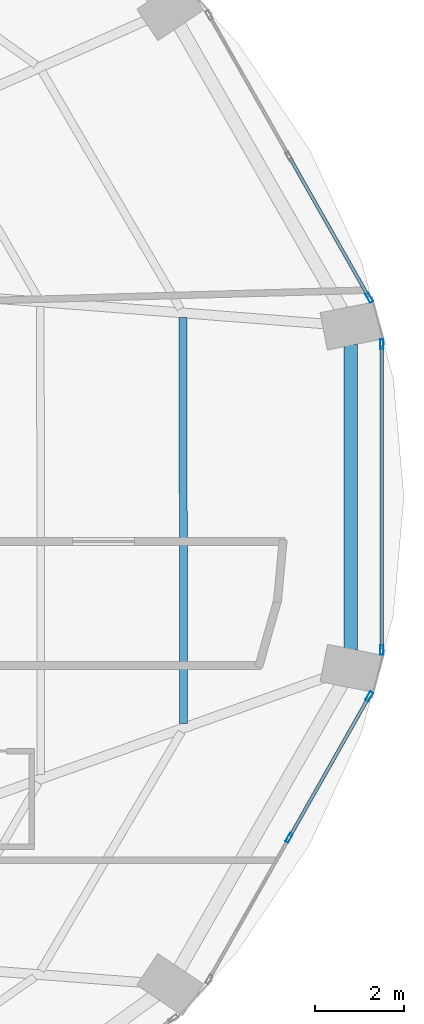
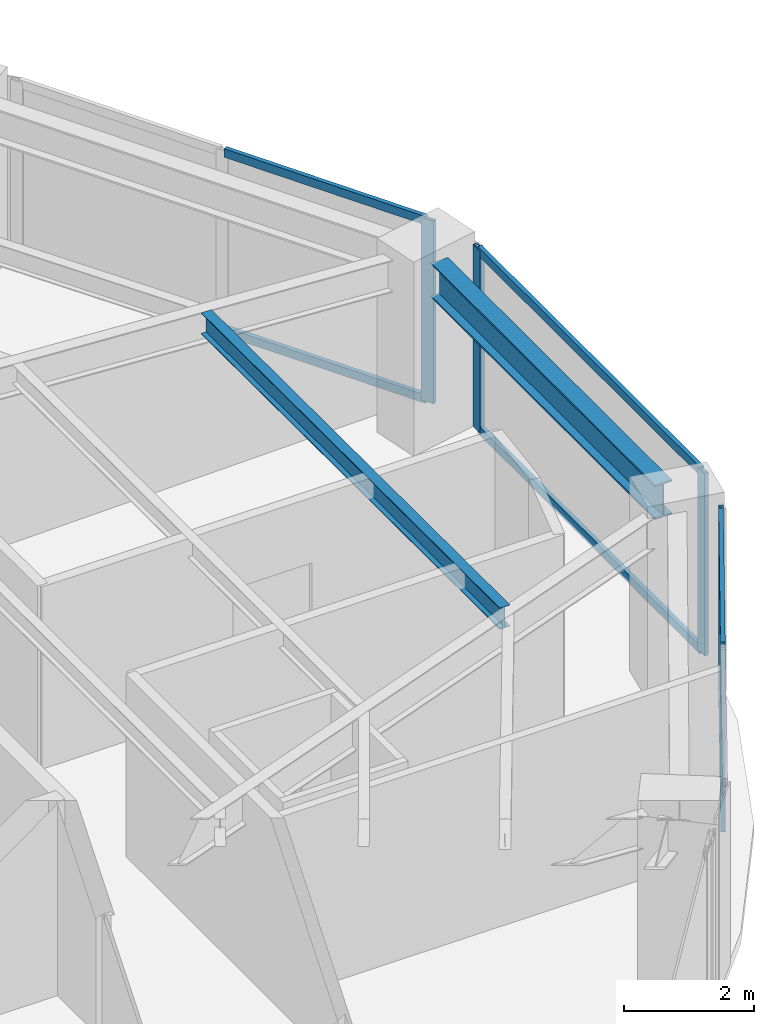
# One storey, part 12 of 25: 11 members, 2 beams, 3 elements without a shape of their own.
"""IFC4 building model written with IfcOpenShell, lengths in metres."""

import ifcopenshell
import ifcopenshell.guid

model = None  # the IFC model being written
_history = None  # IfcOwnerHistory: only IFC2X3 demands one
_inside = {}  # id of a spatial element -> (the spatial element, [elements in it])
_under = {}  # id of a project, library or spatial element -> (it, [spatial elements below it])
_declared = {}  # id of a project -> (the project, [libraries it declares])
_typed = {}  # id of a type object -> (the type object, [elements of that type])
_made_of = {}  # id of a material, layer set ... -> (it, [elements and type objects made of it])


def new_model(schema):
    """Start an empty IFC model of exactly this schema.

    Asked for "IFC4X3", IfcOpenShell would pick the latest addendum, in which some entities
    have other attributes; the version numbers below select the first issue.
    IFC2X3 requires an IfcOwnerHistory on every rooted entity: one is made here for all.
    """
    global model, _history
    if schema == "IFC4X3":
        model = ifcopenshell.file(schema_version=(4, 3, 0, 0))
    else:
        model = ifcopenshell.file(schema=schema)
    _inside.clear()
    _under.clear()
    _declared.clear()
    _typed.clear()
    _made_of.clear()
    _history = None
    if model.schema == "IFC2X3":
        org = make("IfcOrganization", Name="unknown")
        user = make(
            "IfcPersonAndOrganization",
            ThePerson=make("IfcPerson", FamilyName="unknown"),
            TheOrganization=org,
        )
        app = make(
            "IfcApplication",
            ApplicationDeveloper=org,
            Version="unknown",
            ApplicationFullName="unknown",
            ApplicationIdentifier="unknown",
        )
        _history = make(
            "IfcOwnerHistory",
            OwningUser=user,
            OwningApplication=app,
            ChangeAction="ADDED",
            CreationDate=0,
        )
    return model


def make(cls, **values):
    """One entity of the class cls with the attributes given. An attribute that is None is left unset."""
    return model.create_entity(
        cls, **{name: value for name, value in values.items() if value is not None}
    )


def rooted(cls, **values):
    """An entity with a GlobalId (a new one), such as an element, a storey or a relation."""
    return make(cls, GlobalId=ifcopenshell.guid.new(), OwnerHistory=_history, **values)


def si_unit(unit_type, name, prefix=None):
    """IfcSIUnit, for example si_unit("LENGTHUNIT", "METRE", prefix="MILLI")."""
    return make("IfcSIUnit", UnitType=unit_type, Prefix=prefix, Name=name)


def assignment(units):
    """IfcUnitAssignment: the units of a project."""
    return None if units is None else make("IfcUnitAssignment", Units=units)


def point(xyz):
    """IfcCartesianPoint."""
    return None if xyz is None else make("IfcCartesianPoint", Coordinates=xyz)


def direction(xyz):
    """IfcDirection."""
    return None if xyz is None else make("IfcDirection", DirectionRatios=xyz)


def frame(location, z_axis=None, x_axis=None):
    """IfcAxis2Placement3D, a coordinate frame: its origin and axes. An axis left out is left unset."""
    return make(
        "IfcAxis2Placement3D",
        Location=point(location),
        Axis=direction(z_axis),
        RefDirection=direction(x_axis),
    )


def frame_2d(location, x_axis=None):
    """IfcAxis2Placement2D, a coordinate frame in the plane: its origin and x axis."""
    return make(
        "IfcAxis2Placement2D", Location=point(location), RefDirection=direction(x_axis)
    )


def origin():
    """The frame at (0, 0, 0) with its axes left unset."""
    return frame((0.0, 0.0, 0.0))


def origin_2d():
    """The frame at (0, 0) in the plane with its x axis left unset."""
    return frame_2d((0.0, 0.0))


def place(relative_to, where):
    """IfcLocalPlacement: puts the frame where relative to a parent placement (None: the world)."""
    return make(
        "IfcLocalPlacement", PlacementRelTo=relative_to, RelativePlacement=where
    )


def context(
    kind, dimensions, precision=None, world=None, true_north=None, identifier=None
):
    """IfcGeometricRepresentationContext, for example the 3D "Model" context."""
    return make(
        "IfcGeometricRepresentationContext",
        ContextIdentifier=identifier,
        ContextType=kind,
        CoordinateSpaceDimension=dimensions,
        Precision=precision,
        WorldCoordinateSystem=world,
        TrueNorth=true_north,
    )


def subcontext(parent, identifier, kind, view, scale=None):
    """IfcGeometricRepresentationSubContext, for example "Body" below "Model"."""
    return make(
        "IfcGeometricRepresentationSubContext",
        ContextIdentifier=identifier,
        ContextType=kind,
        ParentContext=parent,
        TargetScale=scale,
        TargetView=view,
    )


def project(units=None, contexts=None):
    """IfcProject with its units and contexts."""
    return rooted(
        "IfcProject",
        Name="project",
        RepresentationContexts=contexts,
        UnitsInContext=assignment(units),
    )


def spatial(cls, under=None, at=None, **own):
    """A site, building, storey or space (cls), placed at a placement, below another one or the project."""
    s = rooted(cls, ObjectPlacement=at, **own)
    if under is not None:
        _under.setdefault(under.id(), (under, []))[1].append(s)
    return s


def profile(cls, at=None, kind="AREA", **sizes):
    """A parametric profile (cls). Its sizes go by their IFC names, for example OverallWidth=200.0."""
    return make(cls, ProfileType=kind, Position=at, **sizes)


def hollow_rectangle(**sizes):
    """IfcRectangleHollowProfileDef."""
    return profile("IfcRectangleHollowProfileDef", **sizes)


def i_section(**sizes):
    """IfcIShapeProfileDef."""
    return profile("IfcIShapeProfileDef", **sizes)


def extrude(swept, where, along, depth):
    """IfcExtrudedAreaSolid: the profile swept, set in the frame where, extruded along a direction by depth."""
    return make(
        "IfcExtrudedAreaSolid",
        SweptArea=swept,
        Position=where,
        ExtrudedDirection=direction(along),
        Depth=depth,
    )


def shape(context_of_items, identifier, shape_type, items):
    """IfcShapeRepresentation: the items that make up one representation, for example the "Body"."""
    return make(
        "IfcShapeRepresentation",
        ContextOfItems=context_of_items,
        RepresentationIdentifier=identifier,
        RepresentationType=shape_type,
        Items=items,
    )


def material(Name=None, Category=None):
    """IfcMaterial."""
    return make("IfcMaterial", Name=Name, Category=Category)


def layer(
    of_material, thickness, ventilated=None, Name=None, Category=None, Priority=None
):
    """IfcMaterialLayer: one layer of a wall or slab, of a material (None: an air gap)."""
    return make(
        "IfcMaterialLayer",
        Material=of_material,
        LayerThickness=thickness,
        IsVentilated=ventilated,
        Name=Name,
        Category=Category,
        Priority=Priority,
    )


def layer_set(layers, Name=None):
    """IfcMaterialLayerSet."""
    return make("IfcMaterialLayerSet", MaterialLayers=layers, LayerSetName=Name)


def material_profile(
    of_material, cross_section, Name=None, Category=None, Priority=None
):
    """IfcMaterialProfile: a cross section and its material."""
    return make(
        "IfcMaterialProfile",
        Name=Name,
        Material=of_material,
        Profile=cross_section,
        Priority=Priority,
        Category=Category,
    )


def profile_set(profiles, Name=None, composite=None):
    """IfcMaterialProfileSet."""
    return make(
        "IfcMaterialProfileSet",
        Name=Name,
        MaterialProfiles=profiles,
        CompositeProfile=composite,
    )


def made_of(thing, what):
    """Note that an element or type object is made of a material, layer set ...; save() writes the relation."""
    if what is not None:
        _made_of.setdefault(what.id(), (what, []))[1].append(thing)
    return thing


def type_object(cls, material=None, **own):
    """A type object (cls), such as IfcWallType, which elements share."""
    return made_of(rooted(cls, **own), material)


def element(
    cls,
    number,
    at=None,
    inside=None,
    cuts=None,
    type_object=None,
    material=None,
    context=None,
    identifier="Body",
    shape_type=None,
    held_by="IfcProductDefinitionShape",
    body=None,
    shapes=None,
    **own,
):
    """One element of the class cls, such as IfcWall. Its Tag is "e" and its number.

    at: its placement. inside: the storey or other place that contains it. cuts: it is an
    opening in that element (IfcRelVoidsElement). A single representation is given by context,
    identifier, shape_type and body (its items); several are given by shapes. held_by: the class
    of the entity that holds the representations. save() writes the other relations.
    """
    e = rooted(cls, Tag="e%d" % number, ObjectPlacement=at, **own)
    if body is not None:
        shapes = [shape(context, identifier, shape_type, body)]
    if shapes is not None:
        e.Representation = make(held_by, Representations=shapes)
    if inside is not None:
        _inside.setdefault(inside.id(), (inside, []))[1].append(e)
    if cuts is not None:
        rooted(
            "IfcRelVoidsElement", RelatingBuildingElement=cuts, RelatedOpeningElement=e
        )
    if type_object is not None:
        _typed.setdefault(type_object.id(), (type_object, []))[1].append(e)
    return made_of(e, material)


def aggregate(whole, parts):
    """IfcRelAggregates: a whole, such as a stair, and the parts it consists of."""
    return rooted("IfcRelAggregates", RelatingObject=whole, RelatedObjects=parts)


def save(model, path):
    """Write the relations noted so far, then the file.

    IfcRelAggregates (storeys below a building ...), IfcRelContainedInSpatialStructure (elements
    in a storey), IfcRelDefinesByType, IfcRelAssociatesMaterial and IfcRelDeclares: one each for
    every whole, place, type object, material and project.
    """
    for whole, parts in _under.values():
        aggregate(whole, parts)
    for where, things in _inside.values():
        rooted(
            "IfcRelContainedInSpatialStructure",
            RelatedElements=things,
            RelatingStructure=where,
        )
    for kind, things in _typed.values():
        rooted("IfcRelDefinesByType", RelatedObjects=things, RelatingType=kind)
    for what, things in _made_of.values():
        rooted("IfcRelAssociatesMaterial", RelatedObjects=things, RelatingMaterial=what)
    for by, libraries in _declared.values():
        rooted("IfcRelDeclares", RelatingContext=by, RelatedDefinitions=libraries)
    model.write(path)


model = new_model("IFC4")

# Units and contexts
model_context = context("Model", 3, precision=1e-05, world=origin(), true_north=direction((0.0, 1.0)))
body_context = subcontext(model_context, "Body", "Model", "MODEL_VIEW")
ifc_project = project(units=[si_unit("LENGTHUNIT", "METRE"), si_unit("AREAUNIT", "SQUARE_METRE"), si_unit("VOLUMEUNIT", "CUBIC_METRE"), si_unit("PLANEANGLEUNIT", "RADIAN"), si_unit("MASSUNIT", "GRAM", prefix="KILO")], contexts=[model_context])

# Site, building, storey
site_placement = place(None, origin())
site = spatial("IfcSite", under=ifc_project, at=site_placement, CompositionType="ELEMENT")
building_placement = place(site_placement, origin())
building = spatial("IfcBuilding", under=site, at=building_placement, Name="Lazwardi Medical Tower", CompositionType="ELEMENT")
storey_placement = place(building_placement, frame((0.0, 0.0, 28.847900390625)))
storey = spatial("IfcBuildingStorey", under=building, at=storey_placement, Name="L06", CompositionType="ELEMENT", Elevation=28.847900390625)

# Beams
ifc_material_1 = material(Name="Steel S355", Category="steel")
ifc_material_profile_1 = material_profile(ifc_material_1, i_section(OverallWidth=0.300048828125, OverallDepth=0.64990234375, WebThickness=0.01611328125, FlangeThickness=0.031005859375, at=origin_2d()), Name="HEB 650")
ifc_profile_set_1 = profile_set([ifc_material_profile_1], Name="Steel S355")
beam_type_1 = type_object("IfcBeamType", Name="BM-RB-Z1", PredefinedType="BEAM", material=ifc_profile_set_1)
beam_1_placement = place(storey_placement, frame((62.800048828125, 26.952392578125, 3.10302734375), z_axis=(0.0, 1.0, 0.0), x_axis=(-1.0, 0.0, 0.0)))
element("IfcBeam", 1, at=beam_1_placement, inside=storey, type_object=beam_type_1, Name="Ring beam RB-02 B04 L06", PredefinedType="BEAM", context=body_context, shape_type="SweptSolid", body=[
    extrude(i_section(OverallWidth=0.300048828125, OverallDepth=0.64990234375, WebThickness=0.01611328125, FlangeThickness=0.031005859375, at=origin_2d()), origin(), (0.0, 0.0, 1.0), 6.895263671875),
])
ifc_material_profile_2 = material_profile(ifc_material_1, i_section(OverallWidth=0.179931640625, OverallDepth=0.39990234375, WebThickness=0.008544921875, FlangeThickness=0.013427734375, at=origin_2d()), Name="IPE 400")
ifc_profile_set_2 = profile_set([ifc_material_profile_2], Name="Steel S355")
beam_type_2 = type_object("IfcBeamType", Name="BM-SJ-01", PredefinedType="JOIST", material=ifc_profile_set_2)
beam_2_placement = place(storey_placement, frame((59.0234375, 25.291015625, 3.22802734375), z_axis=(-0.002077613181, 0.999997841759, 0.0), x_axis=(-0.999997841759, -0.002077613181, 0.0)))
element("IfcBeam", 2, at=beam_2_placement, inside=storey, type_object=beam_type_2, Name="Secondary joist SJ-01 R1 B04 L06", PredefinedType="JOIST", context=body_context, shape_type="SweptSolid", body=[
    extrude(i_section(OverallWidth=0.179931640625, OverallDepth=0.39990234375, WebThickness=0.008544921875, FlangeThickness=0.013427734375, at=origin_2d()), origin(), (0.0, 0.0, 1.0), 9.165771484375),
])

# Curtain wall, members
ifc_material_2 = material(Name="Anodised bronze aluminium and solar control glazing", Category="aluminium")
ifc_layer = layer(ifc_material_2, 0.199951171875)
ifc_layer_set = layer_set([ifc_layer], Name="Anodised bronze aluminium and solar control glazing")
curtain_wall_type = type_object("IfcCurtainWallType", Name="CW-SYS-02", PredefinedType="NOTDEFINED", material=ifc_layer_set)
curtain_wall_1_placement = place(storey_placement, origin())
curtain_wall_1 = element("IfcCurtainWall", 3, at=curtain_wall_1_placement, inside=storey, type_object=curtain_wall_type, Name="L06 Unitised bronze curtain wall CW-02", PredefinedType="NOTDEFINED")
ifc_material_3 = material(Name="Anodised bronze aluminium", Category="aluminium")
ifc_material_profile_3 = material_profile(ifc_material_3, hollow_rectangle(XDim=0.074951171875, YDim=0.219970703125, WallThickness=0.00390625, at=origin_2d()), Name="ALU-MULLION 220x75x4")
ifc_profile_set_3 = profile_set([ifc_material_profile_3], Name="Anodised bronze aluminium")
member_type_1 = type_object("IfcMemberType", Name="CW-MUL-01", PredefinedType="MULLION", material=ifc_profile_set_3)
member_1_placement = place(storey_placement, frame((61.4052734375, 22.70458984375, 0.0), z_axis=(0.0, 0.0, 1.0), x_axis=(-0.870111838823, 0.492854327303, 0.0)))
member_1 = element("IfcMember", 4, at=member_1_placement, type_object=member_type_1, Name="CW-02 mullion 2", PredefinedType="MULLION", context=body_context, shape_type="SweptSolid", body=[
    extrude(hollow_rectangle(XDim=0.074951171875, YDim=0.219970703125, WallThickness=0.00390625, at=origin_2d()), origin(), (0.0, 0.0, 1.0), 3.427978515625),
])
member_2_placement = place(storey_placement, frame((63.214111328125, 25.897705078125, 0.0), z_axis=(0.0, 0.0, 1.0), x_axis=(-0.870111838823, 0.492854327303, 0.0)))
member_2 = element("IfcMember", 5, at=member_2_placement, type_object=member_type_1, Name="CW-02 mullion 3", PredefinedType="MULLION", context=body_context, shape_type="SweptSolid", body=[
    extrude(hollow_rectangle(XDim=0.074951171875, YDim=0.219970703125, WallThickness=0.00390625, at=origin_2d()), origin(), (0.0, 0.0, 1.0), 3.427978515625),
])

curtain_wall_2_placement = place(storey_placement, origin())
curtain_wall_2 = element("IfcCurtainWall", 6, at=curtain_wall_2_placement, inside=storey, type_object=curtain_wall_type, Name="L06 Unitised bronze curtain wall CW-02", PredefinedType="NOTDEFINED")
member_3_placement = place(storey_placement, frame((63.49853515625, 26.946044921875, 0.0), z_axis=(0.0, 0.0, 1.0), x_axis=(-1.0, 0.0, 0.0)))
member_3 = element("IfcMember", 7, at=member_3_placement, type_object=member_type_1, Name="CW-02 mullion 1", PredefinedType="MULLION", context=body_context, shape_type="SweptSolid", body=[
    extrude(hollow_rectangle(XDim=0.074951171875, YDim=0.219970703125, WallThickness=0.00390625, at=origin_2d()), origin(), (0.0, 0.0, 1.0), 3.427978515625),
])
member_4_placement = place(storey_placement, frame((63.49853515625, 33.85400390625, 0.0), z_axis=(0.0, 0.0, 1.0), x_axis=(-1.0, 0.0, 0.0)))
member_4 = element("IfcMember", 8, at=member_4_placement, type_object=member_type_1, Name="CW-02 mullion 2", PredefinedType="MULLION", context=body_context, shape_type="SweptSolid", body=[
    extrude(hollow_rectangle(XDim=0.074951171875, YDim=0.219970703125, WallThickness=0.00390625, at=origin_2d()), origin(), (0.0, 0.0, 1.0), 3.427978515625),
])

# Curtain wall, member
curtain_wall_3_placement = place(storey_placement, origin())
curtain_wall_3 = element("IfcCurtainWall", 9, at=curtain_wall_3_placement, inside=storey, type_object=curtain_wall_type, Name="L06 Unitised bronze curtain wall CW-02", PredefinedType="NOTDEFINED")
member_5_placement = place(storey_placement, frame((63.214111328125, 34.90234375, 0.0), z_axis=(0.0, 0.0, 1.0), x_axis=(-0.870111838823, -0.492854327303, 0.0)))
member_5 = element("IfcMember", 10, at=member_5_placement, type_object=member_type_1, Name="CW-02 mullion 1", PredefinedType="MULLION", context=body_context, shape_type="SweptSolid", body=[
    extrude(hollow_rectangle(XDim=0.074951171875, YDim=0.219970703125, WallThickness=0.00390625, at=origin_2d()), origin(), (0.0, 0.0, 1.0), 3.427978515625),
])

# Member
ifc_material_profile_4 = material_profile(ifc_material_3, hollow_rectangle(XDim=0.074951171875, YDim=0.159912109375, WallThickness=0.00390625, at=origin_2d()), Name="ALU-TRANSOM 160x75x4")
ifc_profile_set_4 = profile_set([ifc_material_profile_4], Name="Anodised bronze aluminium")
member_type_2 = type_object("IfcMemberType", Name="CW-TRN-01", PredefinedType="USERDEFINED", material=ifc_profile_set_4)
member_6_placement = place(storey_placement, frame((61.423828125, 22.737060546875, 0.03759765625), z_axis=(0.49285148925, 0.870113446365, 0.0), x_axis=(-0.870113446365, 0.49285148925, 0.0)))
member_6 = element("IfcMember", 11, at=member_6_placement, type_object=member_type_2, Name="CW-02 transom 2.1", ObjectType="TRANSOM", PredefinedType="USERDEFINED", context=body_context, shape_type="SweptSolid", body=[
    extrude(hollow_rectangle(XDim=0.074951171875, YDim=0.159912109375, WallThickness=0.00390625, at=origin_2d()), origin(), (0.0, 0.0, 1.0), 3.594970703125),
])

member_7_placement = place(storey_placement, frame((61.423828125, 22.737060546875, 3.390625), z_axis=(0.49285148925, 0.870113446365, 0.0), x_axis=(-0.870113446365, 0.49285148925, 0.0)))
member_7 = element("IfcMember", 12, at=member_7_placement, type_object=member_type_2, Name="CW-02 transom 2.2", ObjectType="TRANSOM", PredefinedType="USERDEFINED", context=body_context, shape_type="SweptSolid", body=[
    extrude(hollow_rectangle(XDim=0.074951171875, YDim=0.159912109375, WallThickness=0.00390625, at=origin_2d()), origin(), (0.0, 0.0, 1.0), 3.594970703125),
])

aggregate(curtain_wall_1, [member_1, member_2, member_6, member_7])

member_8_placement = place(storey_placement, frame((63.49853515625, 26.9833984375, 0.03759765625), z_axis=(0.0, 1.0, 0.0), x_axis=(-1.0, 0.0, 0.0)))
member_8 = element("IfcMember", 13, at=member_8_placement, type_object=member_type_2, Name="CW-02 transom 1.1", ObjectType="TRANSOM", PredefinedType="USERDEFINED", context=body_context, shape_type="SweptSolid", body=[
    extrude(hollow_rectangle(XDim=0.074951171875, YDim=0.159912109375, WallThickness=0.00390625, at=origin_2d()), origin(), (0.0, 0.0, 1.0), 6.8330078125),
])

member_9_placement = place(storey_placement, frame((63.49853515625, 26.9833984375, 3.390625), z_axis=(0.0, 1.0, 0.0), x_axis=(-1.0, 0.0, 0.0)))
member_9 = element("IfcMember", 14, at=member_9_placement, type_object=member_type_2, Name="CW-02 transom 1.2", ObjectType="TRANSOM", PredefinedType="USERDEFINED", context=body_context, shape_type="SweptSolid", body=[
    extrude(hollow_rectangle(XDim=0.074951171875, YDim=0.159912109375, WallThickness=0.00390625, at=origin_2d()), origin(), (0.0, 0.0, 1.0), 6.8330078125),
])

aggregate(curtain_wall_2, [member_3, member_4, member_8, member_9])

member_10_placement = place(storey_placement, frame((63.195556640625, 34.93505859375, 0.03759765625), z_axis=(-0.492880614687, 0.870096948429, 0.0), x_axis=(-0.870096948429, -0.492880614687, 0.0)))
member_10 = element("IfcMember", 15, at=member_10_placement, type_object=member_type_2, Name="CW-02 transom 1.1", ObjectType="TRANSOM", PredefinedType="USERDEFINED", context=body_context, shape_type="SweptSolid", body=[
    extrude(hollow_rectangle(XDim=0.074951171875, YDim=0.159912109375, WallThickness=0.00390625, at=origin_2d()), origin(), (0.0, 0.0, 1.0), 3.5947265625),
])

member_11_placement = place(storey_placement, frame((63.195556640625, 34.93505859375, 3.390625), z_axis=(-0.492880614687, 0.870096948429, 0.0), x_axis=(-0.870096948429, -0.492880614687, 0.0)))
member_11 = element("IfcMember", 16, at=member_11_placement, type_object=member_type_2, Name="CW-02 transom 1.2", ObjectType="TRANSOM", PredefinedType="USERDEFINED", context=body_context, shape_type="SweptSolid", body=[
    extrude(hollow_rectangle(XDim=0.074951171875, YDim=0.159912109375, WallThickness=0.00390625, at=origin_2d()), origin(), (0.0, 0.0, 1.0), 3.5947265625),
])

aggregate(curtain_wall_3, [member_5, member_10, member_11])

save(model, "model.ifc")
